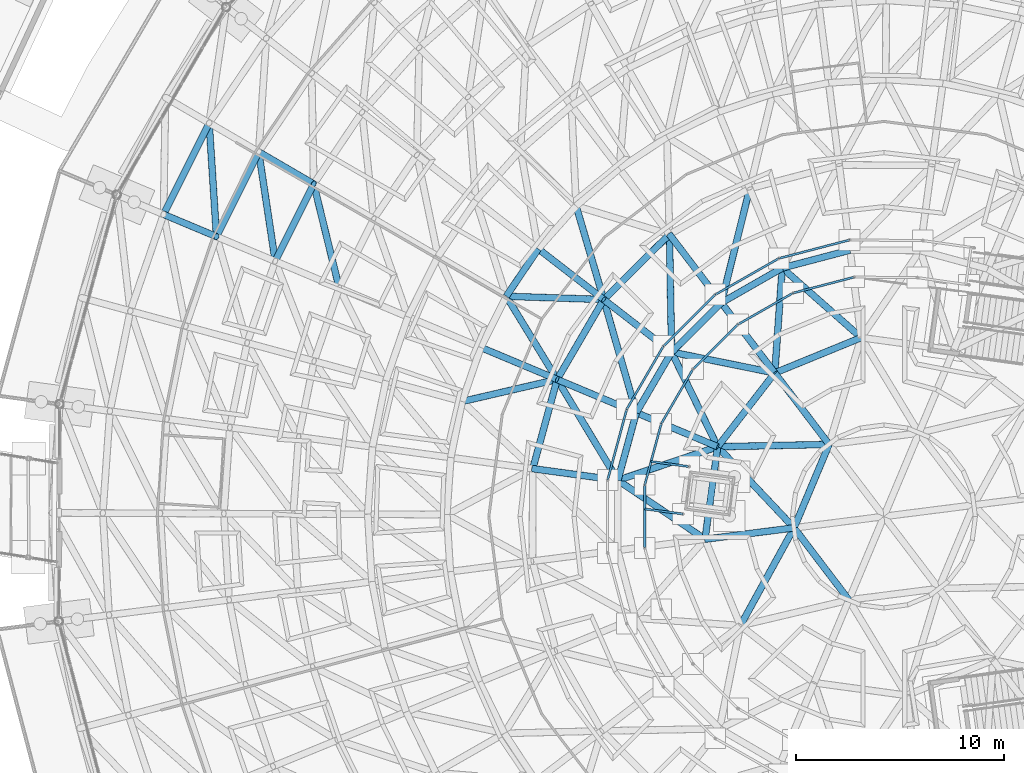
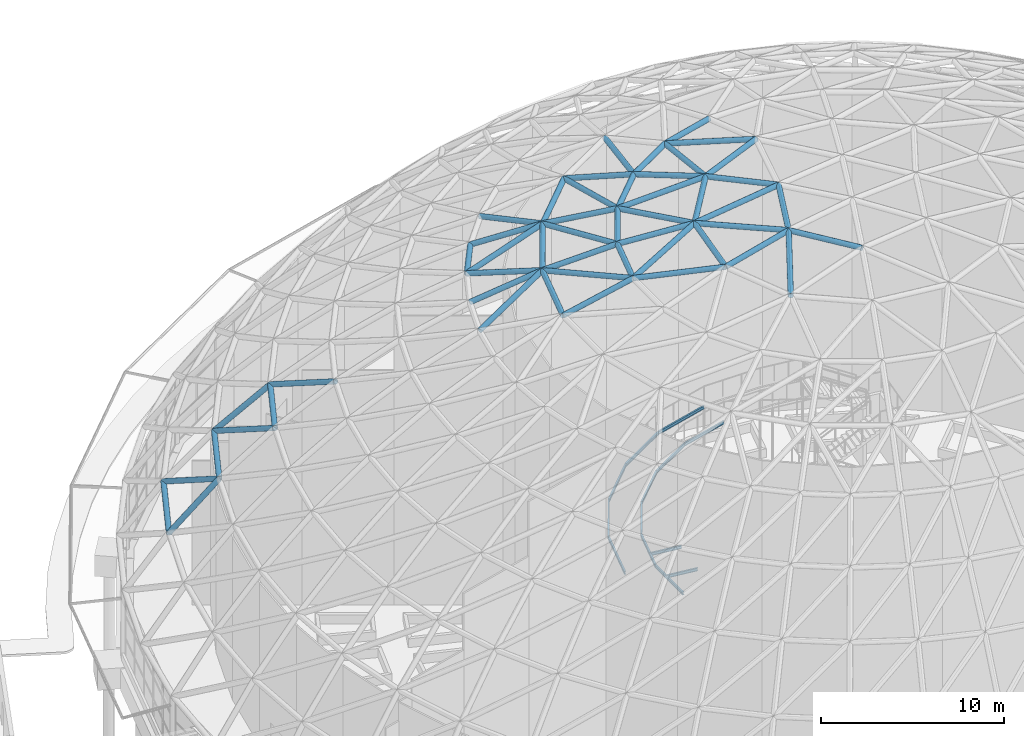
# One storey, part 85 of 226: 49 members, 13 beams.
"""IFC4 building model written with IfcOpenShell, lengths in metres."""

from ifc_helpers import new_model, si_unit, direction, frame, origin, origin_2d, place, context, subcontext, project, spatial, hollow_circle, i_section, extrude, material, material_profile, profile_set, type_object, element, save


model = new_model("IFC4")

# Units and contexts
model_context = context("Model", 3, precision=1e-05, world=origin(), true_north=direction((0.0, 1.0)))
body_context = subcontext(model_context, "Body", "Model", "MODEL_VIEW")
ifc_project = project(units=[si_unit("LENGTHUNIT", "METRE"), si_unit("AREAUNIT", "SQUARE_METRE"), si_unit("VOLUMEUNIT", "CUBIC_METRE"), si_unit("PLANEANGLEUNIT", "RADIAN"), si_unit("MASSUNIT", "GRAM", prefix="KILO")], contexts=[model_context])

# Site, building, storey
site_placement = place(None, origin())
site = spatial("IfcSite", under=ifc_project, at=site_placement, CompositionType="ELEMENT")
building_placement = place(site_placement, origin())
building = spatial("IfcBuilding", under=site, at=building_placement, Name="Ceibo Conservatory and Research Tower", CompositionType="ELEMENT")
storey_placement = place(building_placement, origin())
storey = spatial("IfcBuildingStorey", under=building, at=storey_placement, Name="L00", CompositionType="ELEMENT", Elevation=0.0)

# Members
ifc_material_1 = material(Name="Steel ASTM A500 Gr C", Category="steel")
ifc_material_profile_1 = material_profile(ifc_material_1, hollow_circle(Radius=0.161865234375, WallThickness=0.01025390625, at=origin_2d()), Name="CHS 323.9x10.31")
ifc_profile_set_1 = profile_set([ifc_material_profile_1], Name="Steel ASTM A500 Gr C")
member_type_1 = type_object("IfcMemberType", Name="CHS 323.9x10.31", PredefinedType="NOTDEFINED", material=ifc_profile_set_1)
member_1_placement = place(storey_placement, frame((123.550048828125, 126.924072265625, 8.115966796875), z_axis=(-0.446179714315, -0.8949433851, 0.0), x_axis=(0.8949433851, -0.446179714315, 0.0)))
element("IfcMember", 1, at=member_1_placement, inside=storey, type_object=member_type_1, Name="Gridshell member A-C02-20", PredefinedType="CHORD", context=body_context, shape_type="SweptSolid", body=[
    extrude(hollow_circle(Radius=0.161865234375, WallThickness=0.01025390625, at=origin_2d()), origin(), (0.0, 0.0, 1.0), 4.9130859375),
])
member_2_placement = place(storey_placement, frame((125.93408203125, 125.533935546875, 11.489013671875), z_axis=(-0.446076460537, -0.894994855491, 0.0), x_axis=(0.894994855491, -0.446076460537, 0.0)))
element("IfcMember", 2, at=member_2_placement, inside=storey, type_object=member_type_1, Name="Gridshell member A-C03-20", PredefinedType="CHORD", context=body_context, shape_type="SweptSolid", body=[
    extrude(hollow_circle(Radius=0.161865234375, WallThickness=0.01025390625, at=origin_2d()), origin(), (0.0, 0.0, 1.0), 4.552978515625),
])
member_3_placement = place(storey_placement, frame((128.5791015625, 123.990966796875, 14.591064453125), z_axis=(-0.446060734083, -0.895002693577, 0.0), x_axis=(0.895002693577, -0.446060734083, 0.0)))
element("IfcMember", 3, at=member_3_placement, inside=storey, type_object=member_type_1, Name="Gridshell member A-C04-20", PredefinedType="CHORD", context=body_context, shape_type="SweptSolid", body=[
    extrude(hollow_circle(Radius=0.161865234375, WallThickness=0.01025390625, at=origin_2d()), origin(), (0.0, 0.0, 1.0), 4.152099609375),
])
member_4_placement = place(storey_placement, frame((139.3779296875, 120.8701171875, 22.012939453125), z_axis=(0.722193728068, -0.559092430089, 0.407249154396), x_axis=(0.612155876337, 0.790737113753, 0.0)))
element("IfcMember", 4, at=member_4_placement, inside=storey, type_object=member_type_1, Name="Gridshell member A-M19-07", PredefinedType="RAFTER", context=body_context, shape_type="SweptSolid", body=[
    extrude(hollow_circle(Radius=0.161865234375, WallThickness=0.01025390625, at=origin_2d()), origin(), (0.0, 0.0, 1.0), 4.35888671875),
])
member_5_placement = place(storey_placement, frame((136.613037109375, 116.12890625, 22.012939453125), z_axis=(0.842346596609, -0.353012672768, 0.407227533507), x_axis=(0.386513015434, 0.922283952425, 0.0)))
element("IfcMember", 5, at=member_5_placement, inside=storey, type_object=member_type_1, Name="Gridshell member A-M21-07", PredefinedType="RAFTER", context=body_context, shape_type="SweptSolid", body=[
    extrude(hollow_circle(Radius=0.161865234375, WallThickness=0.01025390625, at=origin_2d()), origin(), (0.0, 0.0, 1.0), 4.359130859375),
])
ifc_material_profile_2 = material_profile(ifc_material_1, hollow_circle(Radius=0.161865234375, WallThickness=0.01416015625, at=origin_2d()), Name="CHS 323.9x14.27")
ifc_profile_set_2 = profile_set([ifc_material_profile_2], Name="Steel ASTM A500 Gr C")
member_type_2 = type_object("IfcMemberType", Name="CHS 323.9x14.27", PredefinedType="NOTDEFINED", material=ifc_profile_set_2)
member_6_placement = place(storey_placement, frame((121.35791015625, 122.527099609375, 8.115966796875), z_axis=(0.583959752241, -0.245067042307, 0.773907715776), x_axis=(0.386969313659, 0.92209259312, 0.0)))
element("IfcMember", 6, at=member_6_placement, inside=storey, type_object=member_type_2, Name="Gridshell member A-M21-02", PredefinedType="RAFTER", context=body_context, shape_type="SweptSolid", body=[
    extrude(hollow_circle(Radius=0.161865234375, WallThickness=0.01416015625, at=origin_2d()), origin(), (0.0, 0.0, 1.0), 4.3583984375),
])
member_7_placement = place(storey_placement, frame((125.93408203125, 125.533935546875, 11.489013671875), z_axis=(0.606815485489, -0.353985034917, 0.711666748996), x_axis=(0.503880939853, 0.863773117464, 0.0)))
element("IfcMember", 7, at=member_7_placement, inside=storey, type_object=member_type_2, Name="Gridshell member A-M20-03", PredefinedType="RAFTER", context=body_context, shape_type="SweptSolid", body=[
    extrude(hollow_circle(Radius=0.161865234375, WallThickness=0.01416015625, at=origin_2d()), origin(), (0.0, 0.0, 1.0), 4.35888671875),
])
ifc_material_profile_3 = material_profile(ifc_material_1, hollow_circle(Radius=0.161865234375, WallThickness=0.00634765625, at=origin_2d()), Name="CHS 323.9x6.35")
ifc_profile_set_3 = profile_set([ifc_material_profile_3], Name="Steel ASTM A500 Gr C")
member_type_3 = type_object("IfcMemberType", Name="CHS 323.9x6.35", PredefinedType="NOTDEFINED", material=ifc_profile_set_3)
member_8_placement = place(storey_placement, frame((145.68505859375, 121.56494140625, 23.7880859375), z_axis=(-0.710173495801, -0.704026708202, 0.0), x_axis=(0.704026708202, -0.710173495801, 0.0)))
element("IfcMember", 8, at=member_8_placement, inside=storey, type_object=member_type_3, Name="Gridshell member A-C08-09", PredefinedType="CHORD", context=body_context, shape_type="SweptSolid", body=[
    extrude(hollow_circle(Radius=0.161865234375, WallThickness=0.00634765625, at=origin_2d()), origin(), (0.0, 0.0, 1.0), 4.448486328125),
])
member_9_placement = place(storey_placement, frame((142.52587890625, 118.43310546875, 23.7880859375), z_axis=(-0.503737944126, -0.863856517975, 0.0), x_axis=(0.863856517975, -0.503737944126, 0.0)))
element("IfcMember", 9, at=member_9_placement, inside=storey, type_object=member_type_3, Name="Gridshell member A-C08-10", PredefinedType="CHORD", context=body_context, shape_type="SweptSolid", body=[
    extrude(hollow_circle(Radius=0.161865234375, WallThickness=0.00634765625, at=origin_2d()), origin(), (0.0, 0.0, 1.0), 4.44873046875),
])
member_10_placement = place(storey_placement, frame((140.284912109375, 114.590087890625, 23.7880859375), z_axis=(-0.262987378822, -0.964799273725, 0.0), x_axis=(0.964799273725, -0.262987378822, 0.0)))
element("IfcMember", 10, at=member_10_placement, inside=storey, type_object=member_type_3, Name="Gridshell member A-C08-11", PredefinedType="CHORD", context=body_context, shape_type="SweptSolid", body=[
    extrude(hollow_circle(Radius=0.161865234375, WallThickness=0.00634765625, at=origin_2d()), origin(), (0.0, 0.0, 1.0), 4.448486328125),
])
member_11_placement = place(storey_placement, frame((154.37109375, 120.80908203125, 25.18408203125), z_axis=(-0.967055772365, -0.254564595212, 0.0), x_axis=(0.254564595212, -0.967055772365, 0.0)))
element("IfcMember", 11, at=member_11_placement, inside=storey, type_object=member_type_3, Name="Gridshell member A-C09-07", PredefinedType="CHORD", context=body_context, shape_type="SweptSolid", body=[
    extrude(hollow_circle(Radius=0.161865234375, WallThickness=0.00634765625, at=origin_2d()), origin(), (0.0, 0.0, 1.0), 3.37109375),
])
member_12_placement = place(storey_placement, frame((151.111083984375, 119.950927734375, 25.18408203125), z_axis=(-0.868207488434, -0.496201327112, 0.0), x_axis=(0.496201327112, -0.868207488434, 0.0)))
element("IfcMember", 12, at=member_12_placement, inside=storey, type_object=member_type_3, Name="Gridshell member A-C09-08", PredefinedType="CHORD", context=body_context, shape_type="SweptSolid", body=[
    extrude(hollow_circle(Radius=0.161865234375, WallThickness=0.00634765625, at=origin_2d()), origin(), (0.0, 0.0, 1.0), 3.371337890625),
])
member_13_placement = place(storey_placement, frame((148.18408203125, 118.278076171875, 25.18408203125), z_axis=(-0.710070640991, -0.704130445871, 0.0), x_axis=(0.704130445871, -0.710070640991, 0.0)))
element("IfcMember", 13, at=member_13_placement, inside=storey, type_object=member_type_3, Name="Gridshell member A-C09-09", PredefinedType="CHORD", context=body_context, shape_type="SweptSolid", body=[
    extrude(hollow_circle(Radius=0.161865234375, WallThickness=0.00634765625, at=origin_2d()), origin(), (0.0, 0.0, 1.0), 3.3701171875),
])
member_14_placement = place(storey_placement, frame((145.791015625, 115.905029296875, 25.18408203125), z_axis=(-0.503708906976, -0.863873449663, 0.0), x_axis=(0.863873449663, -0.503708906976, 0.0)))
element("IfcMember", 14, at=member_14_placement, inside=storey, type_object=member_type_3, Name="Gridshell member A-C09-10", PredefinedType="CHORD", context=body_context, shape_type="SweptSolid", body=[
    extrude(hollow_circle(Radius=0.161865234375, WallThickness=0.00634765625, at=origin_2d()), origin(), (0.0, 0.0, 1.0), 3.37109375),
])
member_15_placement = place(storey_placement, frame((144.093017578125, 112.992919921875, 25.18408203125), z_axis=(-0.263135791654, -0.964758806724, 0.0), x_axis=(0.964758806724, -0.263135791654, 0.0)))
element("IfcMember", 15, at=member_15_placement, inside=storey, type_object=member_type_3, Name="Gridshell member A-C09-11", PredefinedType="CHORD", context=body_context, shape_type="SweptSolid", body=[
    extrude(hollow_circle(Radius=0.161865234375, WallThickness=0.00634765625, at=origin_2d()), origin(), (0.0, 0.0, 1.0), 3.370849609375),
])
member_16_placement = place(storey_placement, frame((154.906005859375, 116.60205078125, 26.18994140625), z_axis=(-0.925533961637, -0.378664608666, 0.0), x_axis=(0.378664608666, -0.925533961637, 0.0)))
element("IfcMember", 16, at=member_16_placement, inside=storey, type_object=member_type_3, Name="Gridshell member A-C10-04", PredefinedType="CHORD", context=body_context, shape_type="SweptSolid", body=[
    extrude(hollow_circle(Radius=0.161865234375, WallThickness=0.00634765625, at=origin_2d()), origin(), (0.0, 0.0, 1.0), 4.4892578125),
])
for number, where, z_axis, x_axis, name in (
    (17, (150.7509765625, 114.902099609375, 26.18994140625), (-0.612089804797, -0.790788259184, 0.0), (0.790788259184, -0.612089804797, 0.0), "Gridshell member A-C10-05"),
    (18, (148.00390625, 111.35302734375, 26.18994140625), (-0.135013678267, -0.990843734744, 0.0), (0.990843734744, -0.135013678267, 0.0), "Gridshell member A-C10-06"),
):
    element("IfcMember", number, at=place(storey_placement, frame(where, z_axis=z_axis, x_axis=x_axis)), inside=storey, type_object=member_type_3, Name=name, PredefinedType="CHORD", context=body_context, shape_type="SweptSolid", body=[
        extrude(hollow_circle(Radius=0.161865234375, WallThickness=0.00634765625, at=origin_2d()), origin(), (0.0, 0.0, 1.0), 4.488037109375),
    ])
member_17_placement = place(storey_placement, frame((153.364990234375, 111.466064453125, 26.797119140625), z_axis=(-0.386788206291, -0.922168576495, 0.0), x_axis=(0.922168576495, -0.386788206291, 0.0)))
element("IfcMember", 19, at=member_17_placement, inside=storey, type_object=member_type_3, Name="Gridshell member A-C11-03", PredefinedType="CHORD", context=body_context, shape_type="SweptSolid", body=[
    extrude(hollow_circle(Radius=0.161865234375, WallThickness=0.00634765625, at=origin_2d()), origin(), (0.0, 0.0, 1.0), 4.35400390625),
])
member_18_placement = place(storey_placement, frame((151.680908203125, 107.450927734375, 26.797119140625), z_axis=(0.60522685969, -0.796053043654, 0.0), x_axis=(0.796053043654, 0.60522685969, 0.0)))
element("IfcMember", 20, at=member_18_placement, inside=storey, type_object=member_type_3, Name="Gridshell member A-C11-04", PredefinedType="CHORD", context=body_context, shape_type="SweptSolid", body=[
    extrude(hollow_circle(Radius=0.161865234375, WallThickness=0.00634765625, at=origin_2d()), origin(), (0.0, 0.0, 1.0), 4.353759765625),
])
member_19_placement = place(storey_placement, frame((141.199951171875, 122.929931640625, 22.012939453125), z_axis=(0.264495189552, -0.897023917575, 0.354105049389), x_axis=(0.959172898916, 0.282820349314, 0.0)))
element("IfcMember", 21, at=member_19_placement, inside=storey, type_object=member_type_3, Name="Gridshell diagonal member A-D07-19", PredefinedType="BRACE", context=body_context, shape_type="SweptSolid", body=[
    extrude(hollow_circle(Radius=0.161865234375, WallThickness=0.00634765625, at=origin_2d()), origin(), (0.0, 0.0, 1.0), 5.012939453125),
])
member_20_placement = place(storey_placement, frame((137.840087890625, 118.590087890625, 22.012939453125), z_axis=(0.934685938993, -0.031313659083, 0.354092714136), x_axis=(0.033483012628, 0.999439286733, 0.0)))
element("IfcMember", 22, at=member_20_placement, inside=storey, type_object=member_type_3, Name="Gridshell diagonal member A-D07-20", PredefinedType="BRACE", context=body_context, shape_type="SweptSolid", body=[
    extrude(hollow_circle(Radius=0.161865234375, WallThickness=0.00634765625, at=origin_2d()), origin(), (0.0, 0.0, 1.0), 5.01318359375),
])
member_21_placement = place(storey_placement, frame((137.840087890625, 118.590087890625, 22.012939453125), z_axis=(0.487714866765, -0.797954900847, 0.354121709232), x_axis=(0.853245786623, 0.52150899092, 0.0)))
element("IfcMember", 23, at=member_21_placement, inside=storey, type_object=member_type_3, Name="Gridshell diagonal member A-D07-21", PredefinedType="BRACE", context=body_context, shape_type="SweptSolid", body=[
    extrude(hollow_circle(Radius=0.161865234375, WallThickness=0.00634765625, at=origin_2d()), origin(), (0.0, 0.0, 1.0), 5.0126953125),
])
member_22_placement = place(storey_placement, frame((135.718017578125, 113.529052734375, 22.012939453125), z_axis=(0.910950519048, 0.211642839505, 0.354085385652), x_axis=(-0.226304400395, 0.974056629956, 0.0)))
element("IfcMember", 24, at=member_22_placement, inside=storey, type_object=member_type_3, Name="Gridshell diagonal member A-D07-22", PredefinedType="BRACE", context=body_context, shape_type="SweptSolid", body=[
    extrude(hollow_circle(Radius=0.161865234375, WallThickness=0.00634765625, at=origin_2d()), origin(), (0.0, 0.0, 1.0), 5.013427734375),
])
member_23_placement = place(storey_placement, frame((149.547119140625, 123.77197265625, 23.7880859375), z_axis=(-0.233794785307, -0.942339970226, 0.239448071357), x_axis=(0.970574794201, -0.240799852287, 0.0)))
element("IfcMember", 25, at=member_23_placement, inside=storey, type_object=member_type_3, Name="Gridshell diagonal member A-D08-08", PredefinedType="BRACE", context=body_context, shape_type="SweptSolid", body=[
    extrude(hollow_circle(Radius=0.161865234375, WallThickness=0.00634765625, at=origin_2d()), origin(), (0.0, 0.0, 1.0), 5.830078125),
])
member_24_placement = place(storey_placement, frame((145.68505859375, 121.56494140625, 23.7880859375), z_axis=(0.018172914238, -0.970743481033, 0.239430238733), x_axis=(0.999824815346, 0.018717334679, 0.0)))
element("IfcMember", 26, at=member_24_placement, inside=storey, type_object=member_type_3, Name="Gridshell diagonal member A-D08-09", PredefinedType="BRACE", context=body_context, shape_type="SweptSolid", body=[
    extrude(hollow_circle(Radius=0.161865234375, WallThickness=0.00634765625, at=origin_2d()), origin(), (0.0, 0.0, 1.0), 5.83056640625),
])
member_25_placement = place(storey_placement, frame((142.52587890625, 118.43310546875, 23.7880859375), z_axis=(0.268760691525, -0.932979356483, 0.239410131507), x_axis=(0.96092445362, 0.276810755634, 0.0)))
element("IfcMember", 27, at=member_25_placement, inside=storey, type_object=member_type_3, Name="Gridshell diagonal member A-D08-10", PredefinedType="BRACE", context=body_context, shape_type="SweptSolid", body=[
    extrude(hollow_circle(Radius=0.161865234375, WallThickness=0.00634765625, at=origin_2d()), origin(), (0.0, 0.0, 1.0), 5.8310546875),
])
member_26_placement = place(storey_placement, frame((140.284912109375, 114.590087890625, 23.7880859375), z_axis=(0.501002363266, -0.831668110253, 0.239425951789), x_axis=(0.856582120428, 0.516010727566, 0.0)))
element("IfcMember", 28, at=member_26_placement, inside=storey, type_object=member_type_3, Name="Gridshell diagonal member A-D08-11", PredefinedType="BRACE", context=body_context, shape_type="SweptSolid", body=[
    extrude(hollow_circle(Radius=0.161865234375, WallThickness=0.00634765625, at=origin_2d()), origin(), (0.0, 0.0, 1.0), 5.83056640625),
])
member_27_placement = place(storey_placement, frame((151.111083984375, 119.950927734375, 25.18408203125), z_axis=(0.735414595118, -0.648975939348, 0.194924609617), x_axis=(0.661667902123, 0.749797030736, 0.0)))
element("IfcMember", 29, at=member_27_placement, inside=storey, type_object=member_type_3, Name="Gridshell diagonal member A-D09-08", PredefinedType="BRACE", context=body_context, shape_type="SweptSolid", body=[
    extrude(hollow_circle(Radius=0.161865234375, WallThickness=0.00634765625, at=origin_2d()), origin(), (0.0, 0.0, 1.0), 5.16015625),
])
member_28_placement = place(storey_placement, frame((151.111083984375, 119.950927734375, 25.18408203125), z_axis=(-0.069779748456, -0.978335727506, 0.194910212637), x_axis=(0.997466039713, -0.071144217049, 0.0)))
element("IfcMember", 30, at=member_28_placement, inside=storey, type_object=member_type_3, Name="Gridshell diagonal member A-D09-09", PredefinedType="BRACE", context=body_context, shape_type="SweptSolid", body=[
    extrude(hollow_circle(Radius=0.161865234375, WallThickness=0.00634765625, at=origin_2d()), origin(), (0.0, 0.0, 1.0), 5.16064453125),
])
member_29_placement = place(storey_placement, frame((145.791015625, 115.905029296875, 25.18408203125), z_axis=(0.961354903853, -0.194390920704, 0.194958761758), x_axis=(0.198193977699, 0.980162816681, 0.0)))
element("IfcMember", 31, at=member_29_placement, inside=storey, type_object=member_type_3, Name="Gridshell diagonal member A-D09-10", PredefinedType="BRACE", context=body_context, shape_type="SweptSolid", body=[
    extrude(hollow_circle(Radius=0.161865234375, WallThickness=0.00634765625, at=origin_2d()), origin(), (0.0, 0.0, 1.0), 5.159423828125),
])
for number, where, z_axis, x_axis, name in (
    (32, (145.791015625, 115.905029296875, 25.18408203125), (0.428824496357, -0.882108642385, 0.194920225617), (0.899359161104, 0.437210589233, 0.0), "Gridshell diagonal member A-D09-11"),
    (33, (143.2060546875, 109.740966796875, 25.18408203125), (0.929741611768, 0.312389775214, 0.194918351338), (-0.318498749451, 0.947923280966, 0.0), "Gridshell diagonal member A-D09-12"),
):
    element("IfcMember", number, at=place(storey_placement, frame(where, z_axis=z_axis, x_axis=x_axis)), inside=storey, type_object=member_type_3, Name=name, PredefinedType="BRACE", context=body_context, shape_type="SweptSolid", body=[
        extrude(hollow_circle(Radius=0.161865234375, WallThickness=0.00634765625, at=origin_2d()), origin(), (0.0, 0.0, 1.0), 5.160400390625),
    ])
member_30_placement = place(storey_placement, frame((143.2060546875, 109.740966796875, 25.18408203125), z_axis=(0.812456869333, -0.549461221124, 0.194951793923), x_axis=(0.560210069664, 0.828350576656, 0.0)))
element("IfcMember", 34, at=member_30_placement, inside=storey, type_object=member_type_3, Name="Gridshell diagonal member A-D09-13", PredefinedType="BRACE", context=body_context, shape_type="SweptSolid", body=[
    extrude(hollow_circle(Radius=0.161865234375, WallThickness=0.00634765625, at=origin_2d()), origin(), (0.0, 0.0, 1.0), 5.159423828125),
])
member_31_placement = place(storey_placement, frame((148.00390625, 111.35302734375, 26.18994140625), z_axis=(0.993429525335, 0.020946212042, 0.112512374403), x_axis=(-0.021080063624, 0.99977779077, 0.0)))
element("IfcMember", 35, at=member_31_placement, inside=storey, type_object=member_type_3, Name="Gridshell diagonal member A-D10-06", PredefinedType="BRACE", context=body_context, shape_type="SweptSolid", body=[
    extrude(hollow_circle(Radius=0.161865234375, WallThickness=0.00634765625, at=origin_2d()), origin(), (0.0, 0.0, 1.0), 5.396484375),
])
member_32_placement = place(storey_placement, frame((148.00390625, 111.35302734375, 26.18994140625), z_axis=(0.681447744108, -0.72316441764, 0.112526428497), x_axis=(0.727786786463, 0.685803465615, 0.0)))
element("IfcMember", 36, at=member_32_placement, inside=storey, type_object=member_type_3, Name="Gridshell diagonal member A-D10-07", PredefinedType="BRACE", context=body_context, shape_type="SweptSolid", body=[
    extrude(hollow_circle(Radius=0.161865234375, WallThickness=0.00634765625, at=origin_2d()), origin(), (0.0, 0.0, 1.0), 5.395751953125),
])
member_33_placement = place(storey_placement, frame((149.097900390625, 102.7509765625, 26.18994140625), z_axis=(0.47857991667, 0.870807370114, 0.112497944495), x_axis=(-0.87637060805, 0.48163737121, 0.0)))
element("IfcMember", 37, at=member_33_placement, inside=storey, type_object=member_type_3, Name="Gridshell diagonal member A-D10-08", PredefinedType="BRACE", context=body_context, shape_type="SweptSolid", body=[
    extrude(hollow_circle(Radius=0.161865234375, WallThickness=0.00634765625, at=origin_2d()), origin(), (0.0, 0.0, 1.0), 5.397216796875),
])
ifc_material_profile_4 = material_profile(ifc_material_1, hollow_circle(Radius=0.161865234375, WallThickness=0.00830078125, at=origin_2d()), Name="CHS 323.9x8.38")
ifc_profile_set_4 = profile_set([ifc_material_profile_4], Name="Steel ASTM A500 Gr C")
member_type_4 = type_object("IfcMemberType", Name="CHS 323.9x8.38", PredefinedType="NOTDEFINED", material=ifc_profile_set_4)
member_34_placement = place(storey_placement, frame((139.3779296875, 120.8701171875, 22.012939453125), z_axis=(-0.559178562802, -0.829047245278, 0.0), x_axis=(0.829047245278, -0.559178562802, 0.0)))
element("IfcMember", 38, at=member_34_placement, inside=storey, type_object=member_type_4, Name="Gridshell member A-C07-19", PredefinedType="CHORD", context=body_context, shape_type="SweptSolid", body=[
    extrude(hollow_circle(Radius=0.161865234375, WallThickness=0.00830078125, at=origin_2d()), origin(), (0.0, 0.0, 1.0), 2.750244140625),
])
member_35_placement = place(storey_placement, frame((123.550048828125, 126.924072265625, 8.115966796875), z_axis=(0.054886997372, -0.849685640512, 0.524425142252), x_axis=(0.997920131711, 0.064462475339, 0.0)))
element("IfcMember", 39, at=member_35_placement, inside=storey, type_object=member_type_4, Name="Gridshell diagonal member A-D02-20", PredefinedType="BRACE", context=body_context, shape_type="SweptSolid", body=[
    extrude(hollow_circle(Radius=0.161865234375, WallThickness=0.00830078125, at=origin_2d()), origin(), (0.0, 0.0, 1.0), 6.431884765625),
])
member_36_placement = place(storey_placement, frame((125.93408203125, 125.533935546875, 11.489013671875), z_axis=(0.128790907141, -0.854151764388, 0.50382304992), x_axis=(0.988822593727, 0.149096875002, 0.0)))
element("IfcMember", 40, at=member_36_placement, inside=storey, type_object=member_type_4, Name="Gridshell diagonal member A-D03-20", PredefinedType="BRACE", context=body_context, shape_type="SweptSolid", body=[
    extrude(hollow_circle(Radius=0.161865234375, WallThickness=0.00830078125, at=origin_2d()), origin(), (0.0, 0.0, 1.0), 6.156982421875),
])
member_37_placement = place(storey_placement, frame((128.5791015625, 123.990966796875, 14.591064453125), z_axis=(0.208931088353, -0.853201162237, 0.477907498453), x_axis=(0.971301555352, 0.237851400186, 0.0)))
element("IfcMember", 41, at=member_37_placement, inside=storey, type_object=member_type_4, Name="Gridshell diagonal member A-D04-20", PredefinedType="BRACE", context=body_context, shape_type="SweptSolid", body=[
    extrude(hollow_circle(Radius=0.161865234375, WallThickness=0.00830078125, at=origin_2d()), origin(), (0.0, 0.0, 1.0), 5.8671875),
])
member_38_placement = place(storey_placement, frame((145.68505859375, 121.56494140625, 23.7880859375), z_axis=(0.573354431608, -0.754110073539, 0.320285330201), x_axis=(0.79604482199, 0.605237673467, 0.0)))
element("IfcMember", 42, at=member_38_placement, inside=storey, type_object=member_type_4, Name="Gridshell member A-M09-08", PredefinedType="RAFTER", context=body_context, shape_type="SweptSolid", body=[
    extrude(hollow_circle(Radius=0.161865234375, WallThickness=0.00830078125, at=origin_2d()), origin(), (0.0, 0.0, 1.0), 4.358642578125),
])
for number, where, z_axis, x_axis, name in (
    (43, (142.52587890625, 118.43310546875, 23.7880859375), (0.749052211105, -0.579963783908, 0.320254265223), (0.612207773168, 0.790696934655, 0.0), "Gridshell member A-M10-08"),
    (44, (140.284912109375, 114.590087890625, 23.7880859375), (0.873606714921, -0.366401790551, 0.320251519164), (0.386772089375, 0.9221753363, 0.0), "Gridshell member A-M11-08"),
):
    element("IfcMember", number, at=place(storey_placement, frame(where, z_axis=z_axis, x_axis=x_axis)), inside=storey, type_object=member_type_4, Name=name, PredefinedType="RAFTER", context=body_context, shape_type="SweptSolid", body=[
        extrude(hollow_circle(Radius=0.161865234375, WallThickness=0.00830078125, at=origin_2d()), origin(), (0.0, 0.0, 1.0), 4.359130859375),
    ])
member_39_placement = place(storey_placement, frame((139.114990234375, 110.298095703125, 23.7880859375), z_axis=(0.938653214636, -0.127827572704, 0.320297134409), x_axis=(0.134936409985, 0.990854260353, 0.0)))
element("IfcMember", 45, at=member_39_placement, inside=storey, type_object=member_type_4, Name="Gridshell member A-M12-08", PredefinedType="RAFTER", context=body_context, shape_type="SweptSolid", body=[
    extrude(hollow_circle(Radius=0.161865234375, WallThickness=0.00830078125, at=origin_2d()), origin(), (0.0, 0.0, 1.0), 4.3583984375),
])
member_40_placement = place(storey_placement, frame((148.18408203125, 118.278076171875, 25.18408203125), z_axis=(0.588918254366, -0.774544571179, 0.230772608711), x_axis=(0.796031278565, 0.605255486176, 0.0)))
element("IfcMember", 46, at=member_40_placement, inside=storey, type_object=member_type_4, Name="Gridshell member A-M09-09", PredefinedType="RAFTER", context=body_context, shape_type="SweptSolid", body=[
    extrude(hollow_circle(Radius=0.161865234375, WallThickness=0.00830078125, at=origin_2d()), origin(), (0.0, 0.0, 1.0), 4.358642578125),
])
member_41_placement = place(storey_placement, frame((144.093017578125, 112.992919921875, 25.18408203125), z_axis=(0.897312650355, -0.376256262715, 0.230783951524), x_axis=(0.386695089157, 0.922207627393, 0.0)))
element("IfcMember", 47, at=member_41_placement, inside=storey, type_object=member_type_4, Name="Gridshell member A-M11-09", PredefinedType="RAFTER", context=body_context, shape_type="SweptSolid", body=[
    extrude(hollow_circle(Radius=0.161865234375, WallThickness=0.00830078125, at=origin_2d()), origin(), (0.0, 0.0, 1.0), 4.3583984375),
])
for number, where, z_axis, x_axis, name in (
    (48, (150.7509765625, 114.902099609375, 26.18994140625), (0.599568550978, -0.78811317703, 0.139266553309), (0.795868975611, 0.605468887442, 0.0), "Gridshell member A-M05-10"),
    (49, (147.39794921875, 106.906005859375, 26.18994140625), (0.982336700409, 0.124982928536, 0.139261892146), (-0.126212798308, 0.992003190289, 0.0), "Gridshell member A-M07-10"),
):
    element("IfcMember", number, at=place(storey_placement, frame(where, z_axis=z_axis, x_axis=x_axis)), inside=storey, type_object=member_type_4, Name=name, PredefinedType="RAFTER", context=body_context, shape_type="SweptSolid", body=[
        extrude(hollow_circle(Radius=0.161865234375, WallThickness=0.00830078125, at=origin_2d()), origin(), (0.0, 0.0, 1.0), 4.35986328125),
    ])

# Beams
ifc_material_2 = material(Name="Steel S355J2", Category="steel")
ifc_material_profile_5 = material_profile(ifc_material_2, i_section(OverallWidth=0.10009765625, OverallDepth=0.199951171875, WebThickness=0.005615234375, FlangeThickness=0.008544921875, at=origin_2d()), Name="IPE 200")
ifc_profile_set_5 = profile_set([ifc_material_profile_5], Name="Steel S355J2")
beam_type = type_object("IfcBeamType", Name="IPE 200 walkway beam", PredefinedType="BEAM", material=ifc_profile_set_5)
beam_1_placement = place(storey_placement, frame((154.34912109375, 121.2978515625, 5.699951171875), z_axis=(-0.967637916625, -0.252342747687, 0.0), x_axis=(0.252342747687, -0.967637916625, 0.0)))
element("IfcBeam", 50, at=beam_1_placement, inside=storey, type_object=beam_type, Name="Walkway beam WK-B02O", PredefinedType="BEAM", context=body_context, shape_type="SweptSolid", body=[
    extrude(i_section(OverallWidth=0.10009765625, OverallDepth=0.199951171875, WebThickness=0.005615234375, FlangeThickness=0.008544921875, at=origin_2d()), origin(), (0.0, 0.0, 1.0), 3.515869140625),
])
beam_2_placement = place(storey_placement, frame((154.57080078125, 119.51171875, 5.699951171875), z_axis=(-0.96763430702, -0.252356588733, 0.0), x_axis=(0.252356588733, -0.96763430702, 0.0)))
element("IfcBeam", 51, at=beam_2_placement, inside=storey, type_object=beam_type, Name="Walkway beam WK-B02I", PredefinedType="BEAM", context=body_context, shape_type="SweptSolid", body=[
    extrude(i_section(OverallWidth=0.10009765625, OverallDepth=0.199951171875, WebThickness=0.005615234375, FlangeThickness=0.008544921875, at=origin_2d()), origin(), (0.0, 0.0, 1.0), 3.04345703125),
])
beam_3_placement = place(storey_placement, frame((150.947021484375, 120.41064453125, 5.699951171875), z_axis=(-0.868725584754, -0.49529370922, 0.0), x_axis=(0.49529370922, -0.868725584754, 0.0)))
element("IfcBeam", 52, at=beam_3_placement, inside=storey, type_object=beam_type, Name="Walkway beam WK-B03O", PredefinedType="BEAM", context=body_context, shape_type="SweptSolid", body=[
    extrude(i_section(OverallWidth=0.10009765625, OverallDepth=0.199951171875, WebThickness=0.005615234375, FlangeThickness=0.008544921875, at=origin_2d()), origin(), (0.0, 0.0, 1.0), 3.51611328125),
])
beam_4_placement = place(storey_placement, frame((151.625732421875, 118.74365234375, 5.699951171875), z_axis=(-0.868711694482, -0.495318071415, 0.0), x_axis=(0.495318071415, -0.868711694482, 0.0)))
element("IfcBeam", 53, at=beam_4_placement, inside=storey, type_object=beam_type, Name="Walkway beam WK-B03I", PredefinedType="BEAM", context=body_context, shape_type="SweptSolid", body=[
    extrude(i_section(OverallWidth=0.10009765625, OverallDepth=0.199951171875, WebThickness=0.005615234375, FlangeThickness=0.008544921875, at=origin_2d()), origin(), (0.0, 0.0, 1.0), 3.043701171875),
])
beam_5_placement = place(storey_placement, frame((147.892578125, 118.669189453125, 5.699951171875), z_axis=(-0.709948063666, -0.704254035769, 0.0), x_axis=(0.704254035769, -0.709948063666, 0.0)))
element("IfcBeam", 54, at=beam_5_placement, inside=storey, type_object=beam_type, Name="Walkway beam WK-B04O", PredefinedType="BEAM", context=body_context, shape_type="SweptSolid", body=[
    extrude(i_section(OverallWidth=0.10009765625, OverallDepth=0.199951171875, WebThickness=0.005615234375, FlangeThickness=0.008544921875, at=origin_2d()), origin(), (0.0, 0.0, 1.0), 3.515869140625),
])
beam_6_placement = place(storey_placement, frame((148.981689453125, 117.236083984375, 5.699951171875), z_axis=(-0.709948542218, -0.704253553347, 0.0), x_axis=(0.704253553347, -0.709948542218, 0.0)))
element("IfcBeam", 55, at=beam_6_placement, inside=storey, type_object=beam_type, Name="Walkway beam WK-B04I", PredefinedType="BEAM", context=body_context, shape_type="SweptSolid", body=[
    extrude(i_section(OverallWidth=0.10009765625, OverallDepth=0.199951171875, WebThickness=0.005615234375, FlangeThickness=0.008544921875, at=origin_2d()), origin(), (0.0, 0.0, 1.0), 3.043701171875),
])
beam_7_placement = place(storey_placement, frame((145.396484375, 116.193115234375, 5.699951171875), z_axis=(-0.502303019938, -0.86469166537, 0.0), x_axis=(0.86469166537, -0.502303019938, 0.0)))
element("IfcBeam", 56, at=beam_7_placement, inside=storey, type_object=beam_type, Name="Walkway beam WK-B05O", PredefinedType="BEAM", context=body_context, shape_type="SweptSolid", body=[
    extrude(i_section(OverallWidth=0.10009765625, OverallDepth=0.199951171875, WebThickness=0.005615234375, FlangeThickness=0.008544921875, at=origin_2d()), origin(), (0.0, 0.0, 1.0), 3.51611328125),
])
beam_8_placement = place(storey_placement, frame((146.82080078125, 115.092529296875, 5.699951171875), z_axis=(-0.502294187222, -0.864696796272, 0.0), x_axis=(0.864696796272, -0.502294187222, 0.0)))
element("IfcBeam", 57, at=beam_8_placement, inside=storey, type_object=beam_type, Name="Walkway beam WK-B05I", PredefinedType="BEAM", context=body_context, shape_type="SweptSolid", body=[
    extrude(i_section(OverallWidth=0.10009765625, OverallDepth=0.199951171875, WebThickness=0.005615234375, FlangeThickness=0.008544921875, at=origin_2d()), origin(), (0.0, 0.0, 1.0), 3.043701171875),
])
beam_9_placement = place(storey_placement, frame((143.63037109375, 113.15283203125, 5.699951171875), z_axis=(-0.26012537805, -0.965574848313, 0.0), x_axis=(0.965574848313, -0.26012537805, 0.0)))
element("IfcBeam", 58, at=beam_9_placement, inside=storey, type_object=beam_type, Name="Walkway beam WK-B06O", PredefinedType="BEAM", context=body_context, shape_type="SweptSolid", body=[
    extrude(i_section(OverallWidth=0.10009765625, OverallDepth=0.199951171875, WebThickness=0.005615234375, FlangeThickness=0.008544921875, at=origin_2d()), origin(), (0.0, 0.0, 1.0), 3.515869140625),
])
beam_10_placement = place(storey_placement, frame((145.2919921875, 112.460693359375, 5.699951171875), z_axis=(-0.260123049311, -0.965575475671, 0.0), x_axis=(0.965575475671, -0.260123049311, 0.0)))
element("IfcBeam", 59, at=beam_10_placement, inside=storey, type_object=beam_type, Name="Walkway beam WK-B06I", PredefinedType="BEAM", context=body_context, shape_type="SweptSolid", body=[
    extrude(i_section(OverallWidth=0.10009765625, OverallDepth=0.199951171875, WebThickness=0.005615234375, FlangeThickness=0.008544921875, at=origin_2d()), origin(), (0.0, 0.0, 1.0), 3.043701171875),
])
beam_11_placement = place(storey_placement, frame((144.500244140625, 109.521728515625, 5.699951171875), z_axis=(0.0, -1.0, 0.0), x_axis=(1.0, 0.0, 0.0)))
element("IfcBeam", 60, at=beam_11_placement, inside=storey, type_object=beam_type, Name="Walkway beam WK-B07I", PredefinedType="BEAM", context=body_context, shape_type="SweptSolid", body=[
    extrude(i_section(OverallWidth=0.10009765625, OverallDepth=0.199951171875, WebThickness=0.005615234375, FlangeThickness=0.008544921875, at=origin_2d()), origin(), (0.0, 0.0, 1.0), 3.04345703125),
])
for number, where, z_axis, x_axis, name in (
    (61, (144.802001953125, 110.641845703125, 5.699951171875), (0.991355524199, -0.131202990208, 0.0), (0.131202990208, 0.991355524199, 0.0), "Walkway beam WK-PBL"),
    (62, (144.500244140625, 108.36181640625, 5.699951171875), (0.991355524199, -0.131202990208, 0.0), (0.131202990208, 0.991355524199, 0.0), "Walkway beam WK-PBR"),
):
    element("IfcBeam", number, at=place(storey_placement, frame(where, z_axis=z_axis, x_axis=x_axis)), inside=storey, type_object=beam_type, Name=name, PredefinedType="BEAM", context=body_context, shape_type="SweptSolid", body=[
        extrude(i_section(OverallWidth=0.10009765625, OverallDepth=0.199951171875, WebThickness=0.005615234375, FlangeThickness=0.008544921875, at=origin_2d()), origin(), (0.0, 0.0, 1.0), 1.84765625),
    ])

save(model, "model.ifc")
